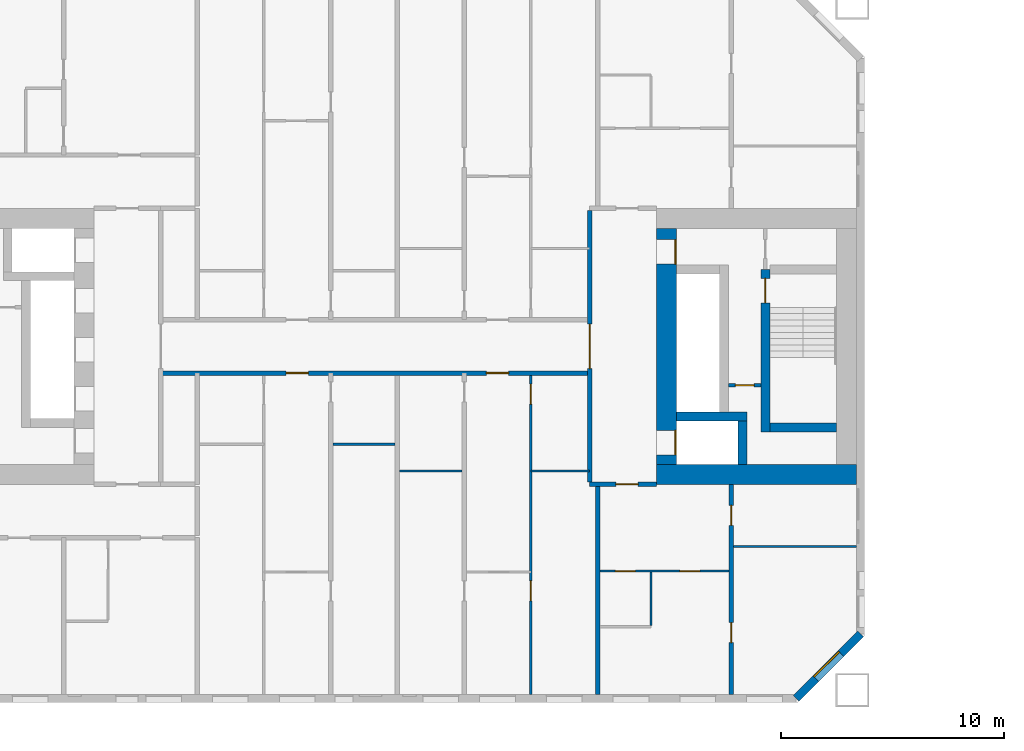
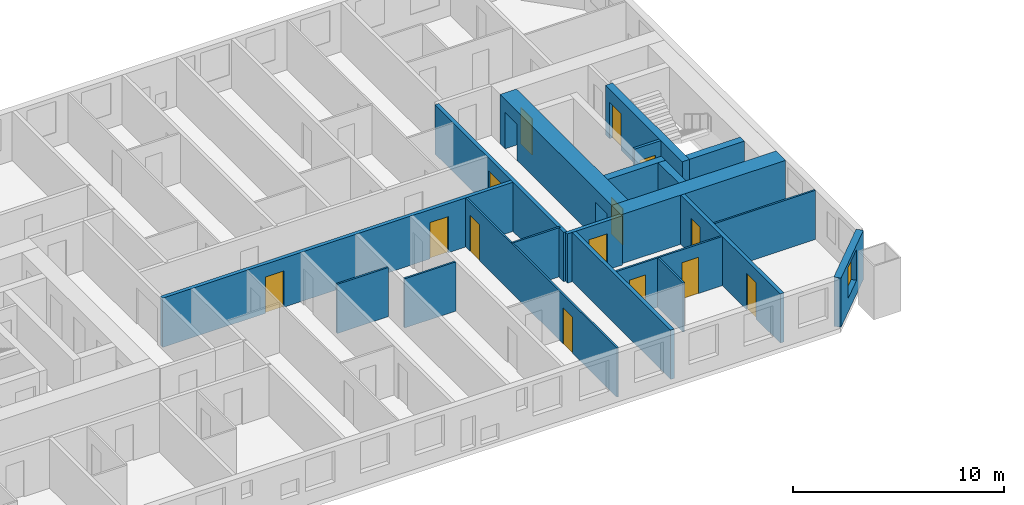
# One storey, part 7 of 18: 20 walls, 14 doors, 1 window, 15 openings.
"""IFC4 building model written with IfcOpenShell, lengths in metres."""

from ifc_helpers import new_model, si_unit, direction, frame, frame_2d, origin, place, context, subcontext, project, spatial, rectangle, extrude, material, layer, layer_set, type_object, element, fill, save


model = new_model("IFC4")

# Units and contexts
model_context = context("Model", 3, precision=1e-05, world=origin(), true_north=direction((0.0, 1.0)))
body_context = subcontext(model_context, "Body", "Model", "MODEL_VIEW")
ifc_project = project(units=[si_unit("LENGTHUNIT", "METRE"), si_unit("AREAUNIT", "SQUARE_METRE"), si_unit("VOLUMEUNIT", "CUBIC_METRE"), si_unit("PLANEANGLEUNIT", "RADIAN"), si_unit("MASSUNIT", "GRAM", prefix="KILO")], contexts=[model_context])

# Site, building, storey
site_placement = place(None, origin())
site = spatial("IfcSite", under=ifc_project, at=site_placement, CompositionType="ELEMENT")
building_placement = place(site_placement, origin())
building = spatial("IfcBuilding", under=site, at=building_placement, Name="Tuart Gate Housing", CompositionType="ELEMENT")
storey_placement = place(building_placement, frame((0.0, 0.0, 31.89990234375)))
storey = spatial("IfcBuildingStorey", under=building, at=storey_placement, Name="L08", CompositionType="ELEMENT", Elevation=31.89990234375)

# Wall, opening, window
ifc_material_1 = material(Name="Brick", Category="masonry")
ifc_layer_1 = layer(ifc_material_1, 0.360107421875)
ifc_layer_set_1 = layer_set([ifc_layer_1], Name="Brick pier and spandrel wall 360")
wall_type_1 = type_object("IfcWallType", Name="Brick pier and spandrel wall 360", PredefinedType="STANDARD", material=ifc_layer_set_1)
wall_1_placement = place(storey_placement, frame((72.92529296875, 54.179931640625, 0.0), z_axis=(0.0, 0.0, 1.0), x_axis=(0.707106781187, 0.707106781187, 0.0)))
wall_1 = element("IfcWall", 1, at=wall_1_placement, inside=storey, type_object=wall_type_1, Name="External wall A-SE L08", PredefinedType="STANDARD", context=body_context, shape_type="SweptSolid", body=[
    extrude(rectangle(XDim=4.09375, YDim=0.360107421875, at=frame_2d((2.046875, 0.0))), origin(), (0.0, 0.0, 1.0), 2.85009765625),
])
opening_1_placement = place(wall_1_placement, frame((1.2470703125, 0.0, 0.800048828125)))
opening_1 = element("IfcOpeningElement", 2, at=opening_1_placement, cuts=wall_1, Name="Opening W1", PredefinedType="OPENING", context=body_context, shape_type="SweptSolid", body=[
    extrude(rectangle(XDim=1.60009765625, YDim=1.800048828125, at=frame_2d((0.800048828125, 0.89990234375))), frame((0.0, 0.18994140625, 0.0), z_axis=(0.0, -1.0, 0.0), x_axis=(1.0, 0.0, 0.0)), (0.0, 0.0, 1.0), 0.380126953125),
])
ifc_material_2 = material(Name="Aluminium frame with clear glass", Category="aluminium")
window_type = type_object("IfcWindowType", Name="Punched window 1600 x 1800", PartitioningType="SINGLE_PANEL", PredefinedType="WINDOW", material=ifc_material_2)
window_placement = place(opening_1_placement, origin())
window = element("IfcWindow", 3, at=window_placement, inside=storey, type_object=window_type, Name="Window W1", OverallHeight=1.800048828125, OverallWidth=1.60009765625, PartitioningType="SINGLE_PANEL", PredefinedType="WINDOW", context=body_context, shape_type="SweptSolid", body=[
    extrude(rectangle(XDim=1.60009765625, YDim=1.800048828125, at=frame_2d((0.800048828125, 0.89990234375))), frame((0.0, 0.150146484375, 0.0), z_axis=(0.0, -1.0, 0.0), x_axis=(1.0, 0.0, 0.0)), (0.0, 0.0, 1.0), 0.06005859375),
])
fill(opening_1, window)

# Wall, opening, door
ifc_material_3 = material(Name="Plasterboard partition")
ifc_layer_2 = layer(ifc_material_3, 0.14990234375)
ifc_layer_set_2 = layer_set([ifc_layer_2], Name="Core partition 150")
wall_type_2 = type_object("IfcWallType", Name="Core partition 150", PredefinedType="PARTITIONING", material=ifc_layer_set_2)
wall_2_placement = place(storey_placement, frame((69.889892578125, 68.25, 0.0), z_axis=(0.0, 0.0, 1.0), x_axis=(1.0, 0.0, 0.0)))
wall_2 = element("IfcWall", 4, at=wall_2_placement, inside=storey, type_object=wall_type_2, Name="Core partition AG.3", PredefinedType="PARTITIONING", context=body_context, shape_type="SweptSolid", body=[
    extrude(rectangle(XDim=1.4501953125, YDim=0.14990234375, at=frame_2d((0.72509765625, 0.0))), origin(), (0.0, 0.0, 1.0), 2.85009765625),
])
opening_2_placement = place(wall_2_placement, frame((0.300048828125, 0.0, 0.0)))
opening_2 = element("IfcOpeningElement", 5, at=opening_2_placement, cuts=wall_2, Name="Opening D505", PredefinedType="OPENING", context=body_context, shape_type="SweptSolid", body=[
    extrude(rectangle(XDim=0.85009765625, YDim=2.10009765625, at=frame_2d((0.425048828125, 1.050048828125))), frame((0.0, 0.0849609375, 0.0), z_axis=(0.0, -1.0, 0.0), x_axis=(1.0, 0.0, 0.0)), (0.0, 0.0, 1.0), 0.169921875),
])
ifc_material_4 = material(Name="Steel fire door", Category="steel")
door_type_1 = type_object("IfcDoorType", Name="Riser door 850 x 2100 RH", OperationType="SINGLE_SWING_RIGHT", PredefinedType="DOOR", material=ifc_material_4)
door_1_placement = place(opening_2_placement, frame((0.85009765625, 0.0, 0.0), z_axis=(0.0, 0.0, 1.0), x_axis=(-1.0, 0.0, 0.0)))
door_1 = element("IfcDoor", 6, at=door_1_placement, inside=storey, type_object=door_type_1, Name="Service room door AG.E1", OperationType="SINGLE_SWING_RIGHT", OverallHeight=2.10009765625, OverallWidth=0.85009765625, PredefinedType="DOOR", context=body_context, shape_type="SweptSolid", body=[
    extrude(rectangle(XDim=0.85009765625, YDim=2.10009765625, at=frame_2d((0.425048828125, 1.050048828125))), frame((0.0, 0.025146484375, 0.0), z_axis=(0.0, -1.0, 0.0), x_axis=(1.0, 0.0, 0.0)), (0.0, 0.0, 1.0), 0.050048828125),
])
fill(opening_2, door_1)

# Walls
ifc_material_5 = material(Name="Concrete C60", Category="concrete")
ifc_layer_3 = layer(ifc_material_5, 0.39990234375)
ifc_layer_set_3 = layer_set([ifc_layer_3], Name="Core wall 400 C60")
wall_type_3 = type_object("IfcWallType", Name="Core wall 400 C60", PredefinedType="SHEAR", material=ifc_layer_set_3)
wall_3_placement = place(storey_placement, frame((71.739990234375, 66.35009765625, 0.0), z_axis=(0.0, 0.0, 1.0), x_axis=(1.0, 0.0, 0.0)))
element("IfcWall", 7, at=wall_3_placement, inside=storey, type_object=wall_type_3, Name="Core wall AG.1", PredefinedType="SHEAR", context=body_context, shape_type="SweptSolid", body=[
    extrude(rectangle(XDim=3.0, YDim=0.39990234375, at=frame_2d((1.5, 0.0))), origin(), (0.0, 0.0, 1.0), 2.85009765625),
])
wall_4_placement = place(storey_placement, frame((67.5400390625, 66.85009765625, 0.0), z_axis=(0.0, 0.0, 1.0), x_axis=(1.0, 0.0, 0.0)))
element("IfcWall", 8, at=wall_4_placement, inside=storey, type_object=wall_type_3, Name="Core wall AG.2", PredefinedType="SHEAR", context=body_context, shape_type="SweptSolid", body=[
    extrude(rectangle(XDim=3.169921875, YDim=0.39990234375, at=frame_2d((1.5849609375, 0.0))), origin(), (0.0, 0.0, 1.0), 2.85009765625),
])
wall_5_placement = place(storey_placement, frame((70.510009765625, 64.699951171875, 0.0), z_axis=(0.0, 0.0, 1.0), x_axis=(0.0, 1.0, 0.0)))
element("IfcWall", 9, at=wall_5_placement, inside=storey, type_object=wall_type_3, Name="Core wall AG.7", PredefinedType="SHEAR", context=body_context, shape_type="SweptSolid", body=[
    extrude(rectangle(XDim=1.949951171875, YDim=0.39990234375, at=frame_2d((0.97509765625, 0.0))), origin(), (0.0, 0.0, 1.0), 2.85009765625),
])

# Wall, opening, door
wall_6_placement = place(storey_placement, frame((71.5400390625, 66.14990234375, 0.0), z_axis=(0.0, 0.0, 1.0), x_axis=(0.0, 1.0, 0.0)))
wall_6 = element("IfcWall", 10, at=wall_6_placement, inside=storey, type_object=wall_type_3, Name="Core wall AG.8", PredefinedType="SHEAR", context=body_context, shape_type="SweptSolid", body=[
    extrude(rectangle(XDim=7.300048828125, YDim=0.39990234375, at=frame_2d((3.64990234375, 0.0))), origin(), (0.0, 0.0, 1.0), 2.85009765625),
])
opening_3_placement = place(wall_6_placement, frame((5.800048828125, 0.0, 0.0)))
opening_3 = element("IfcOpeningElement", 11, at=opening_3_placement, cuts=wall_6, Name="Opening D502", PredefinedType="OPENING", context=body_context, shape_type="SweptSolid", body=[
    extrude(rectangle(XDim=1.10009765625, YDim=2.10009765625, at=frame_2d((0.550048828125, 1.050048828125))), frame((0.0, 0.2099609375, 0.0), z_axis=(0.0, -1.0, 0.0), x_axis=(1.0, 0.0, 0.0)), (0.0, 0.0, 1.0), 0.419921875),
])
ifc_material_6 = material(Name="Steel fire door", Category="steel")
door_type_2 = type_object("IfcDoorType", Name="Stair door 1100 x 2100", OperationType="SINGLE_SWING_LEFT", PredefinedType="DOOR", material=ifc_material_6)
door_2_placement = place(opening_3_placement, frame((1.10009765625, 0.0, 0.0), z_axis=(0.0, 0.0, 1.0), x_axis=(-1.0, 0.0, 0.0)))
door_2 = element("IfcDoor", 12, at=door_2_placement, inside=storey, type_object=door_type_2, Name="Stair door AG.SD", OperationType="SINGLE_SWING_LEFT", OverallHeight=2.10009765625, OverallWidth=1.10009765625, PredefinedType="DOOR", context=body_context, shape_type="SweptSolid", body=[
    extrude(rectangle(XDim=1.10009765625, YDim=2.10009765625, at=frame_2d((0.550048828125, 1.050048828125))), frame((0.0, 0.025146484375, 0.0), z_axis=(0.0, -1.0, 0.0), x_axis=(1.0, 0.0, 0.0)), (0.0, 0.0, 1.0), 0.050048828125),
])
fill(opening_3, door_2)

# Wall, openings, doors
ifc_material_7 = material(Name="Concrete C60", Category="concrete")
ifc_layer_4 = layer(ifc_material_7, 0.89990234375)
ifc_layer_set_4 = layer_set([ifc_layer_4], Name="Core wall 900 C60")
wall_type_4 = type_object("IfcWallType", Name="Core wall 900 C60", PredefinedType="SHEAR", material=ifc_layer_set_4)
wall_7_placement = place(storey_placement, frame((67.090087890625, 64.699951171875, 0.0), z_axis=(0.0, 0.0, 1.0), x_axis=(0.0, 1.0, 0.0)))
wall_7 = element("IfcWall", 13, at=wall_7_placement, inside=storey, type_object=wall_type_4, Name="Core wall AG front", PredefinedType="SHEAR", context=body_context, shape_type="SweptSolid", body=[
    extrude(rectangle(XDim=10.60009765625, YDim=0.89990234375, at=frame_2d((5.300048828125, 0.0))), origin(), (0.0, 0.0, 1.0), 2.85009765625),
])
opening_4_placement = place(wall_7_placement, frame((0.425048828125, 0.0, 0.0)))
opening_4 = element("IfcOpeningElement", 14, at=opening_4_placement, cuts=wall_7, Name="Opening LD-FA1", PredefinedType="OPENING", context=body_context, shape_type="SweptSolid", body=[
    extrude(rectangle(XDim=1.10009765625, YDim=2.10009765625, at=frame_2d((0.550048828125, 1.050048828125))), frame((0.0, 0.4599609375, 0.0), z_axis=(0.0, -1.0, 0.0), x_axis=(1.0, 0.0, 0.0)), (0.0, 0.0, 1.0), 0.919921875),
])
opening_5_placement = place(wall_7_placement, frame((9.0, 0.0, 0.0)))
opening_5 = element("IfcOpeningElement", 15, at=opening_5_placement, cuts=wall_7, Name="Opening D501", PredefinedType="OPENING", context=body_context, shape_type="SweptSolid", body=[
    extrude(rectangle(XDim=1.10009765625, YDim=2.10009765625, at=frame_2d((0.550048828125, 1.050048828125))), frame((0.0, 0.4599609375, 0.0), z_axis=(0.0, -1.0, 0.0), x_axis=(1.0, 0.0, 0.0)), (0.0, 0.0, 1.0), 0.919921875),
])
ifc_material_8 = material(Name="Stainless steel", Category="steel")
door_type_3 = type_object("IfcDoorType", Name="Landing door 1100 x 2100", OperationType="DOUBLE_DOOR_SLIDING", PredefinedType="DOOR", material=ifc_material_8)
door_3_placement = place(opening_4_placement, origin())
door_3 = element("IfcDoor", 16, at=door_3_placement, inside=storey, type_object=door_type_3, Name="Lift landing door FA1", OperationType="DOUBLE_DOOR_SLIDING", OverallHeight=2.10009765625, OverallWidth=1.10009765625, PredefinedType="DOOR", context=body_context, shape_type="SweptSolid", body=[
    extrude(rectangle(XDim=1.10009765625, YDim=2.10009765625, at=frame_2d((0.550048828125, 1.050048828125))), frame((0.0, -0.384765625, 0.0), z_axis=(0.0, -1.0, 0.0), x_axis=(1.0, 0.0, 0.0)), (0.0, 0.0, 1.0), 0.050048828125),
])
fill(opening_4, door_3)
ifc_material_9 = material(Name="Steel fire door", Category="steel")
door_type_4 = type_object("IfcDoorType", Name="Lobby door 1100 x 2100 RH", OperationType="SINGLE_SWING_RIGHT", PredefinedType="DOOR", material=ifc_material_9)
door_4_placement = place(opening_5_placement, frame((1.10009765625, 0.0, 0.0), z_axis=(0.0, 0.0, 1.0), x_axis=(-1.0, 0.0, 0.0)))
door_4 = element("IfcDoor", 17, at=door_4_placement, inside=storey, type_object=door_type_4, Name="Lobby entry door AG.EN", OperationType="SINGLE_SWING_RIGHT", OverallHeight=2.10009765625, OverallWidth=1.10009765625, PredefinedType="DOOR", context=body_context, shape_type="SweptSolid", body=[
    extrude(rectangle(XDim=1.10009765625, YDim=2.10009765625, at=frame_2d((0.550048828125, 1.050048828125))), frame((0.0, 0.434814453125, 0.0), z_axis=(0.0, -1.0, 0.0), x_axis=(1.0, 0.0, 0.0)), (0.0, 0.0, 1.0), 0.050048828125),
])
fill(opening_5, door_4)

# Wall
wall_8_placement = place(storey_placement, frame((66.639892578125, 64.25, 0.0), z_axis=(0.0, 0.0, 1.0), x_axis=(1.0, 0.0, 0.0)))
element("IfcWall", 18, at=wall_8_placement, inside=storey, type_object=wall_type_4, Name="Core wall AG south", PredefinedType="SHEAR", context=body_context, shape_type="SweptSolid", body=[
    extrude(rectangle(XDim=9.0, YDim=0.89990234375, at=frame_2d((4.5, 0.0))), origin(), (0.0, 0.0, 1.0), 2.85009765625),
])

# Wall, openings, doors
ifc_material_10 = material(Name="Concrete masonry 15 MPa", Category="masonry")
ifc_layer_5 = layer(ifc_material_10, 0.199951171875)
ifc_layer_set_5 = layer_set([ifc_layer_5], Name="Corridor wall masonry 200")
wall_type_5 = type_object("IfcWallType", Name="Corridor wall masonry 200", PredefinedType="PARTITIONING", material=ifc_layer_set_5)
wall_9_placement = place(storey_placement, frame((44.360107421875, 68.800048828125, 0.0), z_axis=(0.0, 0.0, 1.0), x_axis=(1.0, 0.0, 0.0)))
wall_9 = element("IfcWall", 19, at=wall_9_placement, inside=storey, type_object=wall_type_5, Name="Corridor wall masonry 200", PredefinedType="PARTITIONING", context=body_context, shape_type="SweptSolid", body=[
    extrude(rectangle(XDim=19.27978515625, YDim=0.199951171875, at=frame_2d((9.639892578125, 0.0))), origin(), (0.0, 0.0, 1.0), 2.85009765625),
])
opening_6_placement = place(wall_9_placement, frame((14.639892578125, 0.0, 0.0)))
opening_6 = element("IfcOpeningElement", 20, at=opening_6_placement, cuts=wall_9, Name="Opening D503", PredefinedType="OPENING", context=body_context, shape_type="SweptSolid", body=[
    extrude(rectangle(XDim=1.0, YDim=2.10009765625, at=frame_2d((0.5, 1.050048828125))), frame((0.0, 0.10986328125, 0.0), z_axis=(0.0, -1.0, 0.0), x_axis=(1.0, 0.0, 0.0)), (0.0, 0.0, 1.0), 0.219970703125),
])
opening_7_placement = place(wall_9_placement, frame((5.639892578125, 0.0, 0.0)))
opening_7 = element("IfcOpeningElement", 21, at=opening_7_placement, cuts=wall_9, Name="Opening D504", PredefinedType="OPENING", context=body_context, shape_type="SweptSolid", body=[
    extrude(rectangle(XDim=1.0, YDim=2.10009765625, at=frame_2d((0.5, 1.050048828125))), frame((0.0, 0.10986328125, 0.0), z_axis=(0.0, -1.0, 0.0), x_axis=(1.0, 0.0, 0.0)), (0.0, 0.0, 1.0), 0.219970703125),
])
ifc_material_11 = material(Name="Timber door leaf in steel frame", Category="steel")
door_type_5 = type_object("IfcDoorType", Name="Flat entrance door 1000 RH", OperationType="SINGLE_SWING_RIGHT", PredefinedType="DOOR", material=ifc_material_11)
door_5_placement = place(opening_6_placement, frame((1.0, 0.0, 0.0), z_axis=(0.0, 0.0, 1.0), x_axis=(-1.0, 0.0, 0.0)))
door_5 = element("IfcDoor", 22, at=door_5_placement, inside=storey, type_object=door_type_5, Name="Flat entrance door", OperationType="SINGLE_SWING_RIGHT", OverallHeight=2.10009765625, OverallWidth=1.0, PredefinedType="DOOR", context=body_context, shape_type="SweptSolid", body=[
    extrude(rectangle(XDim=1.0, YDim=2.10009765625, at=frame_2d((0.5, 1.050048828125))), frame((0.0, 0.025146484375, 0.0), z_axis=(0.0, -1.0, 0.0), x_axis=(1.0, 0.0, 0.0)), (0.0, 0.0, 1.0), 0.050048828125),
])
fill(opening_6, door_5)
door_6_placement = place(opening_7_placement, frame((1.0, 0.0, 0.0), z_axis=(0.0, 0.0, 1.0), x_axis=(-1.0, 0.0, 0.0)))
door_6 = element("IfcDoor", 23, at=door_6_placement, inside=storey, type_object=door_type_5, Name="Flat entrance door", OperationType="SINGLE_SWING_RIGHT", OverallHeight=2.10009765625, OverallWidth=1.0, PredefinedType="DOOR", context=body_context, shape_type="SweptSolid", body=[
    extrude(rectangle(XDim=1.0, YDim=2.10009765625, at=frame_2d((0.5, 1.050048828125))), frame((0.0, 0.025146484375, 0.0), z_axis=(0.0, -1.0, 0.0), x_axis=(1.0, 0.0, 0.0)), (0.0, 0.0, 1.0), 0.050048828125),
])
fill(opening_7, door_6)

# Wall, opening, door
ifc_material_12 = material(Name="Concrete masonry 15 MPa", Category="masonry")
ifc_layer_6 = layer(ifc_material_12, 0.199951171875)
ifc_layer_set_6 = layer_set([ifc_layer_6], Name="Enclosure wall masonry 200")
wall_type_6 = type_object("IfcWallType", Name="Enclosure wall masonry 200", PredefinedType="PARTITIONING", material=ifc_layer_set_6)
wall_10_placement = place(storey_placement, frame((63.639892578125, 63.800048828125, 0.0), z_axis=(0.0, 0.0, 1.0), x_axis=(1.0, 0.0, 0.0)))
wall_10 = element("IfcWall", 24, at=wall_10_placement, inside=storey, type_object=wall_type_6, Name="Enclosure wall masonry 200", PredefinedType="PARTITIONING", context=body_context, shape_type="SweptSolid", body=[
    extrude(rectangle(XDim=3.0, YDim=0.199951171875, at=frame_2d((1.5, 0.0))), origin(), (0.0, 0.0, 1.0), 2.85009765625),
])
opening_8_placement = place(wall_10_placement, frame((1.179931640625, 0.0, 0.0)))
opening_8 = element("IfcOpeningElement", 25, at=opening_8_placement, cuts=wall_10, Name="Opening D509", PredefinedType="OPENING", context=body_context, shape_type="SweptSolid", body=[
    extrude(rectangle(XDim=1.0, YDim=2.10009765625, at=frame_2d((0.5, 1.050048828125))), frame((0.0, 0.10986328125, 0.0), z_axis=(0.0, -1.0, 0.0), x_axis=(1.0, 0.0, 0.0)), (0.0, 0.0, 1.0), 0.219970703125),
])
door_7_placement = place(opening_8_placement, frame((1.0, 0.0, 0.0), z_axis=(0.0, 0.0, 1.0), x_axis=(-1.0, 0.0, 0.0)))
door_7 = element("IfcDoor", 26, at=door_7_placement, inside=storey, type_object=door_type_5, Name="Flat entrance door", OperationType="SINGLE_SWING_RIGHT", OverallHeight=2.10009765625, OverallWidth=1.0, PredefinedType="DOOR", context=body_context, shape_type="SweptSolid", body=[
    extrude(rectangle(XDim=1.0, YDim=2.10009765625, at=frame_2d((0.5, 1.050048828125))), frame((0.0, 0.025146484375, 0.0), z_axis=(0.0, -1.0, 0.0), x_axis=(1.0, 0.0, 0.0)), (0.0, 0.0, 1.0), 0.050048828125),
])
fill(opening_8, door_7)

ifc_material_13 = material(Name="Plasterboard partition")
ifc_layer_7 = layer(ifc_material_13, 0.199951171875)
ifc_layer_set_7 = layer_set([ifc_layer_7], Name="Lobby wall 200")
wall_type_7 = type_object("IfcWallType", Name="Lobby wall 200", PredefinedType="PARTITIONING", material=ifc_layer_set_7)
wall_11_placement = place(storey_placement, frame((63.639892578125, 63.89990234375, 0.0), z_axis=(0.0, 0.0, 1.0), x_axis=(0.0, 1.0, 0.0)))
wall_11 = element("IfcWall", 27, at=wall_11_placement, inside=storey, type_object=wall_type_7, Name="Lift lobby wall AG", PredefinedType="PARTITIONING", context=body_context, shape_type="SweptSolid", body=[
    extrude(rectangle(XDim=12.2001953125, YDim=0.199951171875, at=frame_2d((6.10009765625, 0.0))), origin(), (0.0, 0.0, 1.0), 2.85009765625),
])
opening_9_placement = place(wall_11_placement, frame((5.10009765625, 0.0, 0.0)))
opening_9 = element("IfcOpeningElement", 28, at=opening_9_placement, cuts=wall_11, Name="Opening D500", PredefinedType="OPENING", context=body_context, shape_type="SweptSolid", body=[
    extrude(rectangle(XDim=2.0, YDim=2.10009765625, at=frame_2d((1.0, 1.050048828125))), frame((0.0, 0.10986328125, 0.0), z_axis=(0.0, -1.0, 0.0), x_axis=(1.0, 0.0, 0.0)), (0.0, 0.0, 1.0), 0.219970703125),
])
ifc_material_14 = material(Name="Steel fire door", Category="steel")
door_type_6 = type_object("IfcDoorType", Name="Smoke door 2000 x 2100", OperationType="DOUBLE_DOOR_SINGLE_SWING", PredefinedType="DOOR", material=ifc_material_14)
door_8_placement = place(opening_9_placement, frame((2.0, 0.0, 0.0), z_axis=(0.0, 0.0, 1.0), x_axis=(-1.0, 0.0, 0.0)))
door_8 = element("IfcDoor", 29, at=door_8_placement, inside=storey, type_object=door_type_6, Name="Lift lobby smoke door AG", OperationType="DOUBLE_DOOR_SINGLE_SWING", OverallHeight=2.10009765625, OverallWidth=2.0, PredefinedType="DOOR", context=body_context, shape_type="SweptSolid", body=[
    extrude(rectangle(XDim=2.0, YDim=2.10009765625, at=frame_2d((1.0, 1.050048828125))), frame((0.0, 0.025146484375, 0.0), z_axis=(0.0, -1.0, 0.0), x_axis=(1.0, 0.0, 0.0)), (0.0, 0.0, 1.0), 0.050048828125),
])
fill(opening_9, door_8)

# Wall, openings, doors
ifc_material_15 = material(Name="Gypsum board on steel studs", Category="steel")
ifc_layer_8 = layer(ifc_material_15, 0.10009765625)
ifc_layer_set_8 = layer_set([ifc_layer_8], Name="Partition 100")
wall_type_8 = type_object("IfcWallType", Name="Partition 100", PredefinedType="PARTITIONING", material=ifc_layer_set_8)
wall_12_placement = place(storey_placement, frame((64.10009765625, 59.89990234375, 0.0), z_axis=(0.0, 0.0, 1.0), x_axis=(1.0, 0.0, 0.0)))
wall_12 = element("IfcWall", 30, at=wall_12_placement, inside=storey, type_object=wall_type_8, Name="Partition 100", PredefinedType="PARTITIONING", context=body_context, shape_type="SweptSolid", body=[
    extrude(rectangle(XDim=5.7998046875, YDim=0.10009765625, at=frame_2d((2.89990234375, 0.0))), origin(), (0.0, 0.0, 1.0), 2.85009765625),
])
opening_10_placement = place(wall_12_placement, frame((3.60009765625, 0.0, 0.0)))
opening_10 = element("IfcOpeningElement", 31, at=opening_10_placement, cuts=wall_12, Name="Opening D523", PredefinedType="OPENING", context=body_context, shape_type="SweptSolid", body=[
    extrude(rectangle(XDim=0.89990234375, YDim=2.10009765625, at=frame_2d((0.449951171875, 1.050048828125))), frame((0.0, 0.06005859375, 0.0), z_axis=(0.0, -1.0, 0.0), x_axis=(1.0, 0.0, 0.0)), (0.0, 0.0, 1.0), 0.1201171875),
])
opening_11_placement = place(wall_12_placement, frame((0.699951171875, 0.0, 0.0)))
opening_11 = element("IfcOpeningElement", 32, at=opening_11_placement, cuts=wall_12, Name="Opening D522", PredefinedType="OPENING", context=body_context, shape_type="SweptSolid", body=[
    extrude(rectangle(XDim=0.89990234375, YDim=2.10009765625, at=frame_2d((0.449951171875, 1.050048828125))), frame((0.0, 0.06005859375, 0.0), z_axis=(0.0, -1.0, 0.0), x_axis=(1.0, 0.0, 0.0)), (0.0, 0.0, 1.0), 0.1201171875),
])
ifc_material_16 = material(Name="Timber door leaf in steel frame", Category="steel")
door_type_7 = type_object("IfcDoorType", Name="Bathroom door 900", OperationType="SINGLE_SWING_LEFT", PredefinedType="DOOR", material=ifc_material_16)
door_9_placement = place(opening_11_placement, frame((0.89990234375, 0.0, 0.0), z_axis=(0.0, 0.0, 1.0), x_axis=(-1.0, 0.0, 0.0)))
door_9 = element("IfcDoor", 33, at=door_9_placement, inside=storey, type_object=door_type_7, Name="Bathroom door", OperationType="SINGLE_SWING_LEFT", OverallHeight=2.10009765625, OverallWidth=0.89990234375, PredefinedType="DOOR", context=body_context, shape_type="SweptSolid", body=[
    extrude(rectangle(XDim=0.89990234375, YDim=2.10009765625, at=frame_2d((0.449951171875, 1.050048828125))), frame((0.0, 0.025146484375, 0.0), z_axis=(0.0, -1.0, 0.0), x_axis=(1.0, 0.0, 0.0)), (0.0, 0.0, 1.0), 0.050048828125),
])
fill(opening_11, door_9)
ifc_material_17 = material(Name="Timber door leaf in steel frame", Category="steel")
door_type_8 = type_object("IfcDoorType", Name="Internal door 900 RH", OperationType="SINGLE_SWING_RIGHT", PredefinedType="DOOR", material=ifc_material_17)
door_10_placement = place(opening_10_placement, origin())
door_10 = element("IfcDoor", 34, at=door_10_placement, inside=storey, type_object=door_type_8, Name="Internal door", OperationType="SINGLE_SWING_RIGHT", OverallHeight=2.10009765625, OverallWidth=0.89990234375, PredefinedType="DOOR", context=body_context, shape_type="SweptSolid", body=[
    extrude(rectangle(XDim=0.89990234375, YDim=2.10009765625, at=frame_2d((0.449951171875, 1.050048828125))), frame((0.0, 0.02490234375, 0.0), z_axis=(0.0, -1.0, 0.0), x_axis=(1.0, 0.0, 0.0)), (0.0, 0.0, 1.0), 0.050048828125),
])
fill(opening_10, door_10)

# Walls
wall_13_placement = place(storey_placement, frame((70.10009765625, 61.0, 0.0), z_axis=(0.0, 0.0, 1.0), x_axis=(1.0, 0.0, 0.0)))
element("IfcWall", 35, at=wall_13_placement, inside=storey, type_object=wall_type_8, Name="Partition 100", PredefinedType="PARTITIONING", context=body_context, shape_type="SweptSolid", body=[
    extrude(rectangle(XDim=5.539794921875, YDim=0.10009765625, at=frame_2d((2.77001953125, 0.0))), origin(), (0.0, 0.0, 1.0), 2.85009765625),
])
wall_14_placement = place(storey_placement, frame((55.10009765625, 64.39990234375, 0.0), z_axis=(0.0, 0.0, 1.0), x_axis=(1.0, 0.0, 0.0)))
element("IfcWall", 36, at=wall_14_placement, inside=storey, type_object=wall_type_8, Name="Partition 100", PredefinedType="PARTITIONING", context=body_context, shape_type="SweptSolid", body=[
    extrude(rectangle(XDim=2.7998046875, YDim=0.10009765625, at=frame_2d((1.39990234375, 0.0))), origin(), (0.0, 0.0, 1.0), 2.85009765625),
])
wall_15_placement = place(storey_placement, frame((61.0, 64.39990234375, 0.0), z_axis=(0.0, 0.0, 1.0), x_axis=(1.0, 0.0, 0.0)))
element("IfcWall", 37, at=wall_15_placement, inside=storey, type_object=wall_type_8, Name="Partition 100", PredefinedType="PARTITIONING", context=body_context, shape_type="SweptSolid", body=[
    extrude(rectangle(XDim=2.639892578125, YDim=0.10009765625, at=frame_2d((1.31982421875, 0.0))), origin(), (0.0, 0.0, 1.0), 2.85009765625),
])
wall_16_placement = place(storey_placement, frame((52.10009765625, 65.60009765625, 0.0), z_axis=(0.0, 0.0, 1.0), x_axis=(1.0, 0.0, 0.0)))
element("IfcWall", 38, at=wall_16_placement, inside=storey, type_object=wall_type_8, Name="Partition 100", PredefinedType="PARTITIONING", context=body_context, shape_type="SweptSolid", body=[
    extrude(rectangle(XDim=2.7998046875, YDim=0.10009765625, at=frame_2d((1.39990234375, 0.0))), origin(), (0.0, 0.0, 1.0), 2.85009765625),
])

# Wall, openings, doors
wall_17_placement = place(storey_placement, frame((61.0, 54.360107421875, 0.0), z_axis=(0.0, 0.0, 1.0), x_axis=(0.0, 1.0, 0.0)))
wall_17 = element("IfcWall", 39, at=wall_17_placement, inside=storey, type_object=wall_type_8, Name="Partition 100", PredefinedType="PARTITIONING", context=body_context, shape_type="SweptSolid", body=[
    extrude(rectangle(XDim=14.33984375, YDim=0.10009765625, at=frame_2d((7.169921875, 0.0))), origin(), (0.0, 0.0, 1.0), 2.85009765625),
])
opening_12_placement = place(wall_17_placement, frame((4.199951171875, 0.0, 0.0)))
opening_12 = element("IfcOpeningElement", 40, at=opening_12_placement, cuts=wall_17, Name="Opening D517", PredefinedType="OPENING", context=body_context, shape_type="SweptSolid", body=[
    extrude(rectangle(XDim=0.89990234375, YDim=2.10009765625, at=frame_2d((0.449951171875, 1.050048828125))), frame((0.0, 0.06005859375, 0.0), z_axis=(0.0, -1.0, 0.0), x_axis=(1.0, 0.0, 0.0)), (0.0, 0.0, 1.0), 0.1201171875),
])
opening_13_placement = place(wall_17_placement, frame((13.0400390625, 0.0, 0.0)))
opening_13 = element("IfcOpeningElement", 41, at=opening_13_placement, cuts=wall_17, Name="Opening D516", PredefinedType="OPENING", context=body_context, shape_type="SweptSolid", body=[
    extrude(rectangle(XDim=0.89990234375, YDim=2.10009765625, at=frame_2d((0.449951171875, 1.050048828125))), frame((0.0, 0.06005859375, 0.0), z_axis=(0.0, -1.0, 0.0), x_axis=(1.0, 0.0, 0.0)), (0.0, 0.0, 1.0), 0.1201171875),
])
door_11_placement = place(opening_13_placement, frame((0.89990234375, 0.0, 0.0), z_axis=(0.0, 0.0, 1.0), x_axis=(-1.0, 0.0, 0.0)))
door_11 = element("IfcDoor", 42, at=door_11_placement, inside=storey, type_object=door_type_7, Name="Bathroom door", OperationType="SINGLE_SWING_LEFT", OverallHeight=2.10009765625, OverallWidth=0.89990234375, PredefinedType="DOOR", context=body_context, shape_type="SweptSolid", body=[
    extrude(rectangle(XDim=0.89990234375, YDim=2.10009765625, at=frame_2d((0.449951171875, 1.050048828125))), frame((0.0, 0.025146484375, 0.0), z_axis=(0.0, -1.0, 0.0), x_axis=(1.0, 0.0, 0.0)), (0.0, 0.0, 1.0), 0.050048828125),
])
fill(opening_13, door_11)
door_12_placement = place(opening_12_placement, frame((0.89990234375, 0.0, 0.0), z_axis=(0.0, 0.0, 1.0), x_axis=(-1.0, 0.0, 0.0)))
door_12 = element("IfcDoor", 43, at=door_12_placement, inside=storey, type_object=door_type_8, Name="Internal door", OperationType="SINGLE_SWING_RIGHT", OverallHeight=2.10009765625, OverallWidth=0.89990234375, PredefinedType="DOOR", context=body_context, shape_type="SweptSolid", body=[
    extrude(rectangle(XDim=0.89990234375, YDim=2.10009765625, at=frame_2d((0.449951171875, 1.050048828125))), frame((0.0, 0.025146484375, 0.0), z_axis=(0.0, -1.0, 0.0), x_axis=(1.0, 0.0, 0.0)), (0.0, 0.0, 1.0), 0.050048828125),
])
fill(opening_12, door_12)

# Walls
wall_18_placement = place(storey_placement, frame((66.39990234375, 57.449951171875, 0.0), z_axis=(0.0, 0.0, 1.0), x_axis=(0.0, 1.0, 0.0)))
element("IfcWall", 44, at=wall_18_placement, inside=storey, type_object=wall_type_8, Name="Partition 100", PredefinedType="PARTITIONING", context=body_context, shape_type="SweptSolid", body=[
    extrude(rectangle(XDim=2.400146484375, YDim=0.10009765625, at=frame_2d((1.2001953125, 0.0))), origin(), (0.0, 0.0, 1.0), 2.85009765625),
])
ifc_material_18 = material(Name="Concrete C40", Category="concrete")
ifc_layer_9 = layer(ifc_material_18, 0.199951171875)
ifc_layer_set_9 = layer_set([ifc_layer_9], Name="Party wall concrete C40 200")
wall_type_9 = type_object("IfcWallType", Name="Party wall concrete C40 200", PredefinedType="SOLIDWALL", material=ifc_layer_set_9)
wall_19_placement = place(storey_placement, frame((64.0, 54.360107421875, 0.0), z_axis=(0.0, 0.0, 1.0), x_axis=(0.0, 1.0, 0.0)))
element("IfcWall", 45, at=wall_19_placement, inside=storey, type_object=wall_type_9, Name="Party wall concrete C40 200", PredefinedType="SOLIDWALL", context=body_context, shape_type="SweptSolid", body=[
    extrude(rectangle(XDim=9.43994140625, YDim=0.199951171875, at=frame_2d((4.719970703125, 0.0))), origin(), (0.0, 0.0, 1.0), 2.85009765625),
])

# Wall, openings, doors
wall_20_placement = place(storey_placement, frame((70.0, 54.360107421875, 0.0), z_axis=(0.0, 0.0, 1.0), x_axis=(0.0, 1.0, 0.0)))
wall_20 = element("IfcWall", 46, at=wall_20_placement, inside=storey, type_object=wall_type_9, Name="Party wall concrete C40 200", PredefinedType="SOLIDWALL", context=body_context, shape_type="SweptSolid", body=[
    extrude(rectangle(XDim=9.43994140625, YDim=0.199951171875, at=frame_2d((4.719970703125, 0.0))), origin(), (0.0, 0.0, 1.0), 2.85009765625),
])
opening_14_placement = place(wall_20_placement, frame((2.320068359375, 0.0, 0.0)))
opening_14 = element("IfcOpeningElement", 47, at=opening_14_placement, cuts=wall_20, Name="Opening D530", PredefinedType="OPENING", context=body_context, shape_type="SweptSolid", body=[
    extrude(rectangle(XDim=0.89990234375, YDim=2.10009765625, at=frame_2d((0.449951171875, 1.050048828125))), frame((0.0, 0.10986328125, 0.0), z_axis=(0.0, -1.0, 0.0), x_axis=(1.0, 0.0, 0.0)), (0.0, 0.0, 1.0), 0.219970703125),
])
opening_15_placement = place(wall_20_placement, frame((7.590087890625, 0.0, 0.0)))
opening_15 = element("IfcOpeningElement", 48, at=opening_15_placement, cuts=wall_20, Name="Opening D531", PredefinedType="OPENING", context=body_context, shape_type="SweptSolid", body=[
    extrude(rectangle(XDim=0.89990234375, YDim=2.10009765625, at=frame_2d((0.449951171875, 1.050048828125))), frame((0.0, 0.10986328125, 0.0), z_axis=(0.0, -1.0, 0.0), x_axis=(1.0, 0.0, 0.0)), (0.0, 0.0, 1.0), 0.219970703125),
])
door_13_placement = place(opening_14_placement, frame((0.89990234375, 0.0, 0.0), z_axis=(0.0, 0.0, 1.0), x_axis=(-1.0, 0.0, 0.0)))
door_13 = element("IfcDoor", 49, at=door_13_placement, inside=storey, type_object=door_type_8, Name="Internal door", OperationType="SINGLE_SWING_RIGHT", OverallHeight=2.10009765625, OverallWidth=0.89990234375, PredefinedType="DOOR", context=body_context, shape_type="SweptSolid", body=[
    extrude(rectangle(XDim=0.89990234375, YDim=2.10009765625, at=frame_2d((0.449951171875, 1.050048828125))), frame((0.0, 0.025146484375, 0.0), z_axis=(0.0, -1.0, 0.0), x_axis=(1.0, 0.0, 0.0)), (0.0, 0.0, 1.0), 0.050048828125),
])
fill(opening_14, door_13)
door_14_placement = place(opening_15_placement, frame((0.89990234375, 0.0, 0.0), z_axis=(0.0, 0.0, 1.0), x_axis=(-1.0, 0.0, 0.0)))
door_14 = element("IfcDoor", 50, at=door_14_placement, inside=storey, type_object=door_type_8, Name="Internal door", OperationType="SINGLE_SWING_RIGHT", OverallHeight=2.10009765625, OverallWidth=0.89990234375, PredefinedType="DOOR", context=body_context, shape_type="SweptSolid", body=[
    extrude(rectangle(XDim=0.89990234375, YDim=2.10009765625, at=frame_2d((0.449951171875, 1.050048828125))), frame((0.0, 0.025146484375, 0.0), z_axis=(0.0, -1.0, 0.0), x_axis=(1.0, 0.0, 0.0)), (0.0, 0.0, 1.0), 0.050048828125),
])
fill(opening_15, door_14)

save(model, "model.ifc")
